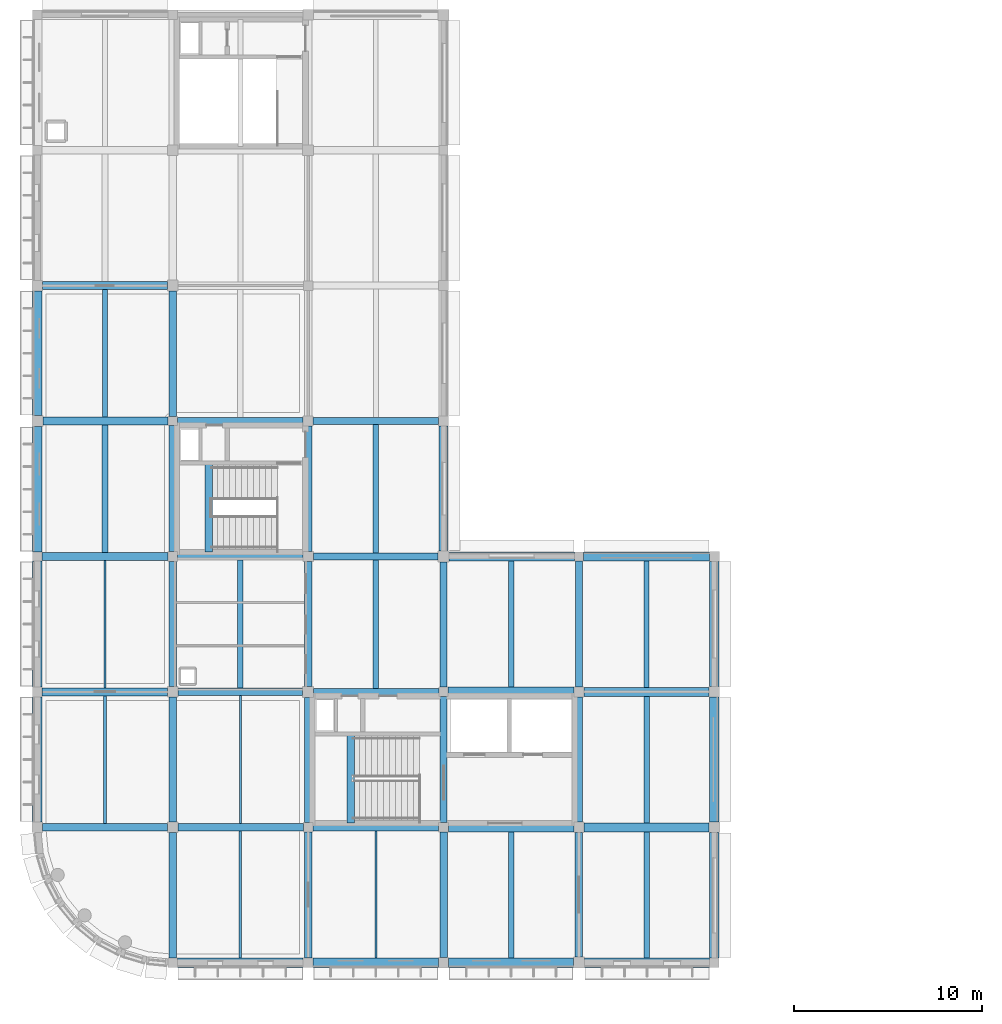
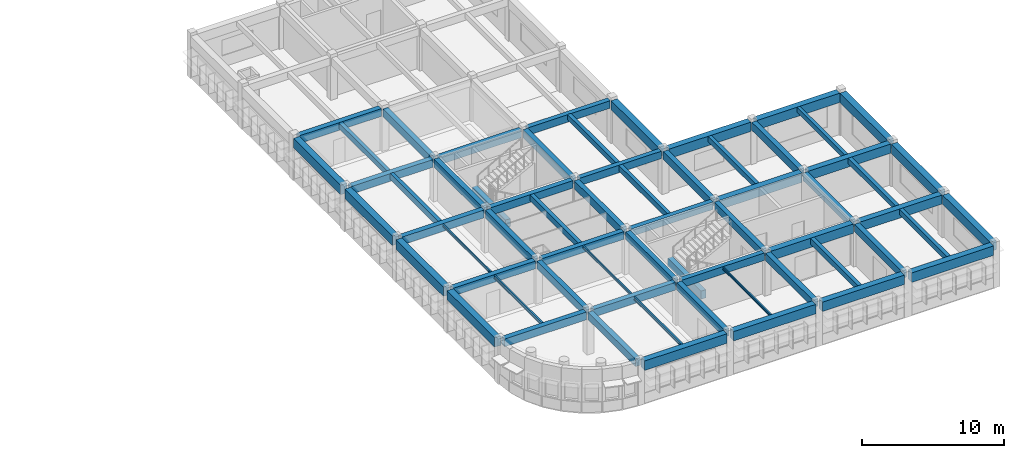
# One storey, part 7 of 19: 63 beams.
"""IFC4 building model written with IfcOpenShell, lengths in metres."""

from ifc_helpers import new_model, si_unit, direction, frame, origin, origin_2d, place, context, subcontext, project, spatial, rectangle, i_section, extrude, material, material_profile, profile_set, type_object, element, save


model = new_model("IFC4")

# Units and contexts
model_context = context("Model", 3, precision=1e-05, world=origin(), true_north=direction((0.0, 1.0)))
body_context = subcontext(model_context, "Body", "Model", "MODEL_VIEW")
ifc_project = project(units=[si_unit("LENGTHUNIT", "METRE"), si_unit("AREAUNIT", "SQUARE_METRE"), si_unit("VOLUMEUNIT", "CUBIC_METRE"), si_unit("PLANEANGLEUNIT", "RADIAN"), si_unit("MASSUNIT", "GRAM", prefix="KILO")], contexts=[model_context])

# Site, building, storey
site_placement = place(None, origin())
site = spatial("IfcSite", under=ifc_project, at=site_placement, CompositionType="ELEMENT")
building_placement = place(site_placement, origin())
building = spatial("IfcBuilding", under=site, at=building_placement, Name="Thalmaran Polytechnic", CompositionType="ELEMENT")
storey_placement = place(building_placement, frame((0.0, 0.0, 26.699951171875)))
storey = spatial("IfcBuildingStorey", under=building, at=storey_placement, Name="L06", CompositionType="ELEMENT", Elevation=26.699951171875)

# Beams
ifc_material_1 = material(Name="Concrete C40/50", Category="concrete")
ifc_material_profile_1 = material_profile(ifc_material_1, rectangle(XDim=0.5, YDim=0.800048828125, at=origin_2d()), Name="RC 500x800")
ifc_profile_set_1 = profile_set([ifc_material_profile_1], Name="Concrete C40/50")
beam_type_1 = type_object("IfcBeamType", Name="BM-RC02", PredefinedType="BEAM", material=ifc_profile_set_1)
beam_1_placement = place(storey_placement, frame((21.860107421875, 7.199951171875, 3.27001953125), z_axis=(1.0, 0.0, 0.0), x_axis=(0.0, 1.0, 0.0)))
element("IfcBeam", 1, at=beam_1_placement, inside=storey, type_object=beam_type_1, Name="Grid Beam B02 L06 X(3,1)", PredefinedType="BEAM", context=body_context, shape_type="SweptSolid", body=[
    extrude(rectangle(XDim=0.5, YDim=0.800048828125, at=origin_2d()), origin(), (0.0, 0.0, 1.0), 6.664794921875),
])
beam_2_placement = place(storey_placement, frame((21.85009765625, 14.39990234375, 3.27001953125), z_axis=(1.0, 0.0, 0.0), x_axis=(0.0, 1.0, 0.0)))
element("IfcBeam", 2, at=beam_2_placement, inside=storey, type_object=beam_type_1, Name="Grid Beam B02 L06 X(3,2)", PredefinedType="BEAM", context=body_context, shape_type="SweptSolid", body=[
    extrude(rectangle(XDim=0.5, YDim=0.800048828125, at=origin_2d()), origin(), (0.0, 0.0, 1.0), 6.68994140625),
])
ifc_material_profile_2 = material_profile(ifc_material_1, rectangle(XDim=0.39990234375, YDim=0.64990234375, at=origin_2d()), Name="RC 400x650")
ifc_profile_set_2 = profile_set([ifc_material_profile_2], Name="Concrete C40/50")
beam_type_2 = type_object("IfcBeamType", Name="BM-RC06", PredefinedType="BEAM", material=ifc_profile_set_2)
beam_3_placement = place(storey_placement, frame((7.489990234375, 7.199951171875, 3.344970703125), z_axis=(1.0, 0.0, 0.0), x_axis=(0.0, 1.0, 0.0)))
element("IfcBeam", 3, at=beam_3_placement, inside=storey, type_object=beam_type_2, Name="Grid Beam B06 L06 X(1,1)", PredefinedType="BEAM", context=body_context, shape_type="SweptSolid", body=[
    extrude(rectangle(XDim=0.39990234375, YDim=0.64990234375, at=origin_2d()), origin(), (0.0, 0.0, 1.0), 6.659912109375),
])
beam_4_placement = place(storey_placement, frame((7.47509765625, 14.39990234375, 3.344970703125), z_axis=(1.0, 0.0, 0.0), x_axis=(0.0, 1.0, 0.0)))
element("IfcBeam", 4, at=beam_4_placement, inside=storey, type_object=beam_type_2, Name="Grid Beam B06 L06 X(1,2)", PredefinedType="BEAM", context=body_context, shape_type="SweptSolid", body=[
    extrude(rectangle(XDim=0.39990234375, YDim=0.64990234375, at=origin_2d()), origin(), (0.0, 0.0, 1.0), 6.635009765625),
])
beam_5_placement = place(storey_placement, frame((7.4599609375, 21.60009765625, 3.344970703125), z_axis=(1.0, 0.0, 0.0), x_axis=(0.0, 1.0, 0.0)))
element("IfcBeam", 5, at=beam_5_placement, inside=storey, type_object=beam_type_2, Name="Grid Beam B06 L06 X(1,3)", PredefinedType="BEAM", context=body_context, shape_type="SweptSolid", body=[
    extrude(rectangle(XDim=0.39990234375, YDim=0.64990234375, at=origin_2d()), origin(), (0.0, 0.0, 1.0), 6.6650390625),
])
beam_6_placement = place(storey_placement, frame((7.449951171875, 28.800048828125, 3.31005859375), z_axis=(1.0, 0.0, 0.0), x_axis=(0.0, 1.0, 0.0)))
element("IfcBeam", 6, at=beam_6_placement, inside=storey, type_object=beam_type_2, Name="Grid Beam B06 L06 X(1,4)", PredefinedType="BEAM", context=body_context, shape_type="SweptSolid", body=[
    extrude(rectangle(XDim=0.39990234375, YDim=0.64990234375, at=origin_2d()), origin(), (0.0, 0.0, 1.0), 6.68994140625),
])
ifc_material_profile_3 = material_profile(ifc_material_1, rectangle(XDim=0.39990234375, YDim=0.6298828125, at=origin_2d()), Name="RC 400x630")
ifc_profile_set_3 = profile_set([ifc_material_profile_3], Name="Concrete C40/50")
beam_type_3 = type_object("IfcBeamType", Name="BM-RC07", PredefinedType="BEAM", material=ifc_profile_set_3)
beam_7_placement = place(storey_placement, frame((7.199951171875, 0.25, 3.35498046875), z_axis=(0.0, 1.0, 0.0), x_axis=(-1.0, 0.0, 0.0)))
element("IfcBeam", 7, at=beam_7_placement, inside=storey, type_object=beam_type_3, Name="Grid Beam B07 L06 Y(1,0)", PredefinedType="BEAM", context=body_context, shape_type="SweptSolid", body=[
    extrude(rectangle(XDim=0.39990234375, YDim=0.6298828125, at=origin_2d()), origin(), (0.0, 0.0, 1.0), 6.659912109375),
])
beam_8_placement = place(storey_placement, frame((14.39990234375, 0.260009765625, 3.35498046875), z_axis=(0.0, 1.0, 0.0), x_axis=(-1.0, 0.0, 0.0)))
element("IfcBeam", 8, at=beam_8_placement, inside=storey, type_object=beam_type_3, Name="Grid Beam B07 L06 Y(2,0)", PredefinedType="BEAM", context=body_context, shape_type="SweptSolid", body=[
    extrude(rectangle(XDim=0.39990234375, YDim=0.6298828125, at=origin_2d()), origin(), (0.0, 0.0, 1.0), 6.68994140625),
])
beam_9_placement = place(storey_placement, frame((21.60009765625, 0.27490234375, 3.35498046875), z_axis=(0.0, 1.0, 0.0), x_axis=(-1.0, 0.0, 0.0)))
element("IfcBeam", 9, at=beam_9_placement, inside=storey, type_object=beam_type_3, Name="Grid Beam B07 L06 Y(3,0)", PredefinedType="BEAM", context=body_context, shape_type="SweptSolid", body=[
    extrude(rectangle(XDim=0.39990234375, YDim=0.6298828125, at=origin_2d()), origin(), (0.0, 0.0, 1.0), 6.6650390625),
])
beam_10_placement = place(storey_placement, frame((28.800048828125, 0.2900390625, 3.320068359375), z_axis=(0.0, 1.0, 0.0), x_axis=(-1.0, 0.0, 0.0)))
element("IfcBeam", 10, at=beam_10_placement, inside=storey, type_object=beam_type_3, Name="Grid Beam B07 L06 Y(4,0)", PredefinedType="BEAM", context=body_context, shape_type="SweptSolid", body=[
    extrude(rectangle(XDim=0.39990234375, YDim=0.6298828125, at=origin_2d()), origin(), (0.0, 0.0, 1.0), 6.635009765625),
])
ifc_material_profile_4 = material_profile(ifc_material_1, rectangle(XDim=0.389892578125, YDim=0.68505859375, at=origin_2d()), Name="RC 390x685")
ifc_profile_set_4 = profile_set([ifc_material_profile_4], Name="Concrete C40/50")
beam_type_4 = type_object("IfcBeamType", Name="BM-RC08", PredefinedType="BEAM", material=ifc_profile_set_4)
beam_11_placement = place(storey_placement, frame((7.199951171875, 14.675048828125, 3.32763671875), z_axis=(0.0, 1.0, 0.0), x_axis=(-1.0, 0.0, 0.0)))
element("IfcBeam", 11, at=beam_11_placement, inside=storey, type_object=beam_type_4, Name="Grid Beam B08 L06 Y(1,2)", PredefinedType="BEAM", context=body_context, shape_type="SweptSolid", body=[
    extrude(rectangle(XDim=0.389892578125, YDim=0.68505859375, at=origin_2d()), origin(), (0.0, 0.0, 1.0), 6.6650390625),
])
beam_12_placement = place(storey_placement, frame((14.39990234375, 14.68994140625, 3.32763671875), z_axis=(0.0, 1.0, 0.0), x_axis=(-1.0, 0.0, 0.0)))
element("IfcBeam", 12, at=beam_12_placement, inside=storey, type_object=beam_type_4, Name="Grid Beam B08 L06 Y(2,2)", PredefinedType="BEAM", context=body_context, shape_type="SweptSolid", body=[
    extrude(rectangle(XDim=0.389892578125, YDim=0.68505859375, at=origin_2d()), origin(), (0.0, 0.0, 1.0), 6.635009765625),
])
beam_13_placement = place(storey_placement, frame((21.60009765625, 14.64990234375, 3.32763671875), z_axis=(0.0, 1.0, 0.0), x_axis=(-1.0, 0.0, 0.0)))
element("IfcBeam", 13, at=beam_13_placement, inside=storey, type_object=beam_type_4, Name="Grid Beam B08 L06 Y(3,2)", PredefinedType="BEAM", context=body_context, shape_type="SweptSolid", body=[
    extrude(rectangle(XDim=0.389892578125, YDim=0.68505859375, at=origin_2d()), origin(), (0.0, 0.0, 1.0), 6.66015625),
])
beam_14_placement = place(storey_placement, frame((28.800048828125, 14.659912109375, 3.29248046875), z_axis=(0.0, 1.0, 0.0), x_axis=(-1.0, 0.0, 0.0)))
element("IfcBeam", 14, at=beam_14_placement, inside=storey, type_object=beam_type_4, Name="Grid Beam B08 L06 Y(4,2)", PredefinedType="BEAM", context=body_context, shape_type="SweptSolid", body=[
    extrude(rectangle(XDim=0.389892578125, YDim=0.68505859375, at=origin_2d()), origin(), (0.0, 0.0, 1.0), 6.690185546875),
])
ifc_material_profile_5 = material_profile(ifc_material_1, rectangle(XDim=0.389892578125, YDim=0.68994140625, at=origin_2d()), Name="RC 390x690")
ifc_profile_set_5 = profile_set([ifc_material_profile_5], Name="Concrete C40/50")
beam_type_5 = type_object("IfcBeamType", Name="BM-RC09", PredefinedType="BEAM", material=ifc_profile_set_5)
beam_15_placement = place(storey_placement, frame((7.199951171875, 29.050048828125, 3.2900390625), z_axis=(0.0, 1.0, 0.0), x_axis=(-1.0, 0.0, 0.0)))
element("IfcBeam", 15, at=beam_15_placement, inside=storey, type_object=beam_type_5, Name="Grid Beam B09 L06 Y(1,4)", PredefinedType="BEAM", context=body_context, shape_type="SweptSolid", body=[
    extrude(rectangle(XDim=0.389892578125, YDim=0.68994140625, at=origin_2d()), origin(), (0.0, 0.0, 1.0), 6.659912109375),
])
ifc_material_profile_6 = material_profile(ifc_material_1, rectangle(XDim=0.389892578125, YDim=0.695068359375, at=origin_2d()), Name="RC 390x695")
ifc_profile_set_6 = profile_set([ifc_material_profile_6], Name="Concrete C40/50")
beam_type_6 = type_object("IfcBeamType", Name="BM-RC10", PredefinedType="BEAM", material=ifc_profile_set_6)
for number, where, z_axis, x_axis, name in (
    (16, (16.659912109375, 7.43994140625, 1.489990234375), (0.0, 1.0, 0.0), (-1.0, 0.0, 0.0), "ST1 L06 Half-Landing Trimmer Beam"),
    (17, (9.1201171875, 21.840087890625, 1.489990234375), (0.0, 1.0, 0.0), (-1.0, 0.0, 0.0), "ST3 L06 Half-Landing Trimmer Beam"),
):
    element("IfcBeam", number, at=place(storey_placement, frame(where, z_axis=z_axis, x_axis=x_axis)), inside=storey, type_object=beam_type_6, Name=name, PredefinedType="BEAM", context=body_context, shape_type="SweptSolid", body=[
        extrude(rectangle(XDim=0.389892578125, YDim=0.695068359375, at=origin_2d()), origin(), (0.0, 0.0, 1.0), 4.699951171875),
    ])
ifc_material_profile_7 = material_profile(ifc_material_1, rectangle(XDim=0.300048828125, YDim=0.5, at=origin_2d()), Name="RC 300x500")
ifc_profile_set_7 = profile_set([ifc_material_profile_7], Name="Concrete C40/50")
beam_type_7 = type_object("IfcBeamType", Name="BM-RC11", PredefinedType="JOIST", material=ifc_profile_set_7)
beam_16_placement = place(storey_placement, frame((3.60009765625, 21.81005859375, 3.420166015625), z_axis=(0.0, 1.0, 0.0), x_axis=(-1.0, 0.0, 0.0)))
element("IfcBeam", 18, at=beam_16_placement, inside=storey, type_object=beam_type_7, Name="Secondary Floor Rib RB01 L06 (0,3)", PredefinedType="JOIST", context=body_context, shape_type="SweptSolid", body=[
    extrude(rectangle(XDim=0.300048828125, YDim=0.5, at=origin_2d()), origin(), (0.0, 0.0, 1.0), 6.780029296875),
])
beam_17_placement = place(storey_placement, frame((10.800048828125, 14.60009765625, 3.420166015625), z_axis=(0.0, 1.0, 0.0), x_axis=(-1.0, 0.0, 0.0)))
element("IfcBeam", 19, at=beam_17_placement, inside=storey, type_object=beam_type_7, Name="Secondary Floor Rib RB01 L06 (1,2)", PredefinedType="JOIST", context=body_context, shape_type="SweptSolid", body=[
    extrude(rectangle(XDim=0.300048828125, YDim=0.5, at=origin_2d()), origin(), (0.0, 0.0, 1.0), 6.7998046875),
])
beam_18_placement = place(storey_placement, frame((25.199951171875, 0.25, 3.420166015625), z_axis=(0.0, 1.0, 0.0), x_axis=(-1.0, 0.0, 0.0)))
element("IfcBeam", 20, at=beam_18_placement, inside=storey, type_object=beam_type_7, Name="Secondary Floor Rib RB01 L06 (3,0)", PredefinedType="JOIST", context=body_context, shape_type="SweptSolid", body=[
    extrude(rectangle(XDim=0.300048828125, YDim=0.5, at=origin_2d()), origin(), (0.0, 0.0, 1.0), 6.699951171875),
])
ifc_material_profile_8 = material_profile(ifc_material_1, rectangle(XDim=0.300048828125, YDim=0.449951171875, at=origin_2d()), Name="RC 300x450")
ifc_profile_set_8 = profile_set([ifc_material_profile_8], Name="Concrete C40/50")
beam_type_8 = type_object("IfcBeamType", Name="BM-RC12", PredefinedType="JOIST", material=ifc_profile_set_8)
beam_19_placement = place(storey_placement, frame((18.0, 21.7900390625, 3.445068359375), z_axis=(0.0, 1.0, 0.0), x_axis=(-1.0, 0.0, 0.0)))
element("IfcBeam", 21, at=beam_19_placement, inside=storey, type_object=beam_type_8, Name="Secondary Floor Rib RB02 L06 (2,3)", PredefinedType="JOIST", context=body_context, shape_type="SweptSolid", body=[
    extrude(rectangle(XDim=0.300048828125, YDim=0.449951171875, at=origin_2d()), origin(), (0.0, 0.0, 1.0), 6.820068359375),
])
beam_20_placement = place(storey_placement, frame((25.199951171875, 14.64990234375, 3.445068359375), z_axis=(0.0, 1.0, 0.0), x_axis=(-1.0, 0.0, 0.0)))
element("IfcBeam", 22, at=beam_20_placement, inside=storey, type_object=beam_type_8, Name="Secondary Floor Rib RB02 L06 (3,2)", PredefinedType="JOIST", context=body_context, shape_type="SweptSolid", body=[
    extrude(rectangle(XDim=0.300048828125, YDim=0.449951171875, at=origin_2d()), origin(), (0.0, 0.0, 1.0), 6.7001953125),
])
beam_21_placement = place(storey_placement, frame((32.39990234375, 7.43994140625, 3.41015625), z_axis=(0.0, 1.0, 0.0), x_axis=(-1.0, 0.0, 0.0)))
element("IfcBeam", 23, at=beam_21_placement, inside=storey, type_object=beam_type_8, Name="Secondary Floor Rib RB02 L06 (4,1)", PredefinedType="JOIST", context=body_context, shape_type="SweptSolid", body=[
    extrude(rectangle(XDim=0.300048828125, YDim=0.449951171875, at=origin_2d()), origin(), (0.0, 0.0, 1.0), 6.719970703125),
])
ifc_material_2 = material(Name="Steel S355", Category="steel")
ifc_material_profile_9 = material_profile(ifc_material_2, i_section(OverallWidth=0.135009765625, OverallDepth=0.27001953125, WebThickness=0.006591796875, FlangeThickness=0.01025390625, at=origin_2d()), Name="IPE 270")
ifc_profile_set_9 = profile_set([ifc_material_profile_9], Name="Steel S355")
beam_type_9 = type_object("IfcBeamType", Name="BM-SJ03", PredefinedType="JOIST", material=ifc_profile_set_9)
beam_22_placement = place(storey_placement, frame((3.60009765625, 7.409912109375, 3.53515625), z_axis=(0.0, 1.0, 0.0), x_axis=(-1.0, 0.0, 0.0)))
element("IfcBeam", 24, at=beam_22_placement, inside=storey, type_object=beam_type_9, Name="Secondary Floor Rib SJ03 L06 (0,1)", PredefinedType="JOIST", context=body_context, shape_type="SweptSolid", body=[
    extrude(i_section(OverallWidth=0.135009765625, OverallDepth=0.27001953125, WebThickness=0.006591796875, FlangeThickness=0.01025390625, at=origin_2d()), origin(), (0.0, 0.0, 1.0), 6.780029296875),
])
beam_23_placement = place(storey_placement, frame((10.800048828125, 0.25, 3.53515625), z_axis=(0.0, 1.0, 0.0), x_axis=(-1.0, 0.0, 0.0)))
element("IfcBeam", 25, at=beam_23_placement, inside=storey, type_object=beam_type_9, Name="Secondary Floor Rib SJ03 L06 (1,0)", PredefinedType="JOIST", context=body_context, shape_type="SweptSolid", body=[
    extrude(i_section(OverallWidth=0.135009765625, OverallDepth=0.27001953125, WebThickness=0.006591796875, FlangeThickness=0.01025390625, at=origin_2d()), origin(), (0.0, 0.0, 1.0), 6.75),
])
ifc_material_profile_10 = material_profile(ifc_material_2, i_section(OverallWidth=0.110107421875, OverallDepth=0.219970703125, WebThickness=0.005859375, FlangeThickness=0.00927734375, at=origin_2d()), Name="IPE 220")
ifc_profile_set_10 = profile_set([ifc_material_profile_10], Name="Steel S355")
beam_type_10 = type_object("IfcBeamType", Name="BM-SJ04", PredefinedType="JOIST", material=ifc_profile_set_10)
beam_24_placement = place(storey_placement, frame((3.60009765625, 14.610107421875, 3.56005859375), z_axis=(0.0, 1.0, 0.0), x_axis=(-1.0, 0.0, 0.0)))
element("IfcBeam", 26, at=beam_24_placement, inside=storey, type_object=beam_type_10, Name="Secondary Floor Rib SJ04 L06 (0,2)", PredefinedType="JOIST", context=body_context, shape_type="SweptSolid", body=[
    extrude(i_section(OverallWidth=0.110107421875, OverallDepth=0.219970703125, WebThickness=0.005859375, FlangeThickness=0.00927734375, at=origin_2d()), origin(), (0.0, 0.0, 1.0), 6.77978515625),
])
beam_25_placement = place(storey_placement, frame((10.800048828125, 7.39990234375, 3.56005859375), z_axis=(0.0, 1.0, 0.0), x_axis=(-1.0, 0.0, 0.0)))
element("IfcBeam", 27, at=beam_25_placement, inside=storey, type_object=beam_type_10, Name="Secondary Floor Rib SJ04 L06 (1,1)", PredefinedType="JOIST", context=body_context, shape_type="SweptSolid", body=[
    extrude(i_section(OverallWidth=0.110107421875, OverallDepth=0.219970703125, WebThickness=0.005859375, FlangeThickness=0.00927734375, at=origin_2d()), origin(), (0.0, 0.0, 1.0), 6.800048828125),
])
beam_26_placement = place(storey_placement, frame((18.0, 0.25, 3.56005859375), z_axis=(0.0, 1.0, 0.0), x_axis=(-1.0, 0.0, 0.0)))
element("IfcBeam", 28, at=beam_26_placement, inside=storey, type_object=beam_type_10, Name="Secondary Floor Rib SJ04 L06 (2,0)", PredefinedType="JOIST", context=body_context, shape_type="SweptSolid", body=[
    extrude(i_section(OverallWidth=0.110107421875, OverallDepth=0.219970703125, WebThickness=0.005859375, FlangeThickness=0.00927734375, at=origin_2d()), origin(), (0.0, 0.0, 1.0), 6.760009765625),
])
ifc_material_profile_11 = material_profile(ifc_material_1, rectangle(XDim=0.5, YDim=0.804931640625, at=origin_2d()), Name="RC 500x805")
ifc_profile_set_11 = profile_set([ifc_material_profile_11], Name="Concrete C40/50")
beam_type_11 = type_object("IfcBeamType", Name="BM-SP03", PredefinedType="SPANDREL", material=ifc_profile_set_11)
beam_27_placement = place(storey_placement, frame((7.449951171875, 0.0, 3.267578125), z_axis=(1.0, 0.0, 0.0), x_axis=(0.0, 1.0, 0.0)))
element("IfcBeam", 29, at=beam_27_placement, inside=storey, type_object=beam_type_11, Name="Grid Beam SP03 L06 X(1,0)", PredefinedType="SPANDREL", context=body_context, shape_type="SweptSolid", body=[
    extrude(rectangle(XDim=0.5, YDim=0.804931640625, at=origin_2d()), origin(), (0.0, 0.0, 1.0), 6.68994140625),
])
beam_28_placement = place(storey_placement, frame((14.659912109375, 0.0, 3.267578125), z_axis=(1.0, 0.0, 0.0), x_axis=(0.0, 1.0, 0.0)))
element("IfcBeam", 30, at=beam_28_placement, inside=storey, type_object=beam_type_11, Name="Grid Beam SP03 L06 X(2,0)", PredefinedType="SPANDREL", context=body_context, shape_type="SweptSolid", body=[
    extrude(rectangle(XDim=0.5, YDim=0.804931640625, at=origin_2d()), origin(), (0.0, 0.0, 1.0), 6.6650390625),
])
beam_29_placement = place(storey_placement, frame((21.875, 0.0, 3.267578125), z_axis=(1.0, 0.0, 0.0), x_axis=(0.0, 1.0, 0.0)))
element("IfcBeam", 31, at=beam_29_placement, inside=storey, type_object=beam_type_11, Name="Grid Beam SP03 L06 X(3,0)", PredefinedType="SPANDREL", context=body_context, shape_type="SweptSolid", body=[
    extrude(rectangle(XDim=0.5, YDim=0.804931640625, at=origin_2d()), origin(), (0.0, 0.0, 1.0), 6.635009765625),
])
beam_30_placement = place(storey_placement, frame((21.889892578125, 21.60009765625, 3.267578125), z_axis=(1.0, 0.0, 0.0), x_axis=(0.0, 1.0, 0.0)))
element("IfcBeam", 32, at=beam_30_placement, inside=storey, type_object=beam_type_11, Name="Grid Beam SP03 L06 X(3,3)", PredefinedType="SPANDREL", context=body_context, shape_type="SweptSolid", body=[
    extrude(rectangle(XDim=0.5, YDim=0.804931640625, at=origin_2d()), origin(), (0.0, 0.0, 1.0), 6.66015625),
])
beam_31_placement = place(storey_placement, frame((29.090087890625, 0.0, 3.232666015625), z_axis=(1.0, 0.0, 0.0), x_axis=(0.0, 1.0, 0.0)))
element("IfcBeam", 33, at=beam_31_placement, inside=storey, type_object=beam_type_11, Name="Grid Beam SP03 L06 X(4,0)", PredefinedType="SPANDREL", context=body_context, shape_type="SweptSolid", body=[
    extrude(rectangle(XDim=0.5, YDim=0.804931640625, at=origin_2d()), origin(), (0.0, 0.0, 1.0), 6.659912109375),
])
beam_32_placement = place(storey_placement, frame((29.050048828125, 21.60009765625, 3.232666015625), z_axis=(1.0, 0.0, 0.0), x_axis=(0.0, 1.0, 0.0)))
element("IfcBeam", 34, at=beam_32_placement, inside=storey, type_object=beam_type_11, Name="Grid Beam SP03 L06 X(4,3)", PredefinedType="SPANDREL", context=body_context, shape_type="SweptSolid", body=[
    extrude(rectangle(XDim=0.5, YDim=0.804931640625, at=origin_2d()), origin(), (0.0, 0.0, 1.0), 6.68994140625),
])
beam_33_placement = place(storey_placement, frame((0.0, 7.47509765625, 3.267578125), z_axis=(0.0, 1.0, 0.0), x_axis=(-1.0, 0.0, 0.0)))
element("IfcBeam", 35, at=beam_33_placement, inside=storey, type_object=beam_type_11, Name="Grid Beam SP03 L06 Y(0,1)", PredefinedType="SPANDREL", context=body_context, shape_type="SweptSolid", body=[
    extrude(rectangle(XDim=0.5, YDim=0.804931640625, at=origin_2d()), origin(), (0.0, 0.0, 1.0), 6.664794921875),
])
beam_34_placement = place(storey_placement, frame((0.0, 14.659912109375, 3.267578125), z_axis=(0.0, 1.0, 0.0), x_axis=(-1.0, 0.0, 0.0)))
element("IfcBeam", 36, at=beam_34_placement, inside=storey, type_object=beam_type_11, Name="Grid Beam SP03 L06 Y(0,2)", PredefinedType="SPANDREL", context=body_context, shape_type="SweptSolid", body=[
    extrude(rectangle(XDim=0.5, YDim=0.804931640625, at=origin_2d()), origin(), (0.0, 0.0, 1.0), 6.690185546875),
])
beam_35_placement = place(storey_placement, frame((0.0, 21.85009765625, 3.267578125), z_axis=(0.0, 1.0, 0.0), x_axis=(-1.0, 0.0, 0.0)))
element("IfcBeam", 37, at=beam_35_placement, inside=storey, type_object=beam_type_11, Name="Grid Beam SP03 L06 Y(0,3)", PredefinedType="SPANDREL", context=body_context, shape_type="SweptSolid", body=[
    extrude(rectangle(XDim=0.5, YDim=0.804931640625, at=origin_2d()), origin(), (0.0, 0.0, 1.0), 6.659912109375),
])
for number, where, z_axis, x_axis, name in (
    (38, (0.0, 29.090087890625, 3.232666015625), (0.0, 1.0, 0.0), (-1.0, 0.0, 0.0), "Grid Beam SP03 L06 Y(0,4)"),
    (39, (21.60009765625, 21.889892578125, 3.267578125), (0.0, 1.0, 0.0), (-1.0, 0.0, 0.0), "Grid Beam SP03 L06 Y(3,3)"),
):
    element("IfcBeam", number, at=place(storey_placement, frame(where, z_axis=z_axis, x_axis=x_axis)), inside=storey, type_object=beam_type_11, Name=name, PredefinedType="SPANDREL", context=body_context, shape_type="SweptSolid", body=[
        extrude(rectangle(XDim=0.5, YDim=0.804931640625, at=origin_2d()), origin(), (0.0, 0.0, 1.0), 6.635009765625),
    ])
beam_36_placement = place(storey_placement, frame((36.0, 0.25, 3.232666015625), z_axis=(0.0, 1.0, 0.0), x_axis=(-1.0, 0.0, 0.0)))
element("IfcBeam", 40, at=beam_36_placement, inside=storey, type_object=beam_type_11, Name="Grid Beam SP03 L06 Y(5,0)", PredefinedType="SPANDREL", context=body_context, shape_type="SweptSolid", body=[
    extrude(rectangle(XDim=0.5, YDim=0.804931640625, at=origin_2d()), origin(), (0.0, 0.0, 1.0), 6.659912109375),
])
beam_37_placement = place(storey_placement, frame((36.0, 7.489990234375, 3.232666015625), z_axis=(0.0, 1.0, 0.0), x_axis=(-1.0, 0.0, 0.0)))
element("IfcBeam", 41, at=beam_37_placement, inside=storey, type_object=beam_type_11, Name="Grid Beam SP03 L06 Y(5,1)", PredefinedType="SPANDREL", context=body_context, shape_type="SweptSolid", body=[
    extrude(rectangle(XDim=0.5, YDim=0.804931640625, at=origin_2d()), origin(), (0.0, 0.0, 1.0), 6.635009765625),
])
beam_38_placement = place(storey_placement, frame((36.0, 14.675048828125, 3.232666015625), z_axis=(0.0, 1.0, 0.0), x_axis=(-1.0, 0.0, 0.0)))
element("IfcBeam", 42, at=beam_38_placement, inside=storey, type_object=beam_type_11, Name="Grid Beam SP03 L06 Y(5,2)", PredefinedType="SPANDREL", context=body_context, shape_type="SweptSolid", body=[
    extrude(rectangle(XDim=0.5, YDim=0.804931640625, at=origin_2d()), origin(), (0.0, 0.0, 1.0), 6.6650390625),
])
ifc_material_profile_12 = material_profile(ifc_material_1, rectangle(XDim=0.47998046875, YDim=0.780029296875, at=origin_2d()), Name="RC 480x780")
ifc_profile_set_12 = profile_set([ifc_material_profile_12], Name="Concrete C40/50")
beam_type_12 = type_object("IfcBeamType", Name="BM-ZB01", PredefinedType="BEAM", material=ifc_profile_set_12)
beam_39_placement = place(storey_placement, frame((29.074951171875, 7.199951171875, 3.2451171875), z_axis=(1.0, 0.0, 0.0), x_axis=(0.0, 1.0, 0.0)))
element("IfcBeam", 43, at=beam_39_placement, inside=storey, type_object=beam_type_12, Name="Grid Beam ZB01 L06 X(4,1)", PredefinedType="BEAM", context=body_context, shape_type="SweptSolid", body=[
    extrude(rectangle(XDim=0.47998046875, YDim=0.780029296875, at=origin_2d()), origin(), (0.0, 0.0, 1.0), 6.635009765625),
])
beam_40_placement = place(storey_placement, frame((29.06005859375, 14.39990234375, 3.2451171875), z_axis=(1.0, 0.0, 0.0), x_axis=(0.0, 1.0, 0.0)))
element("IfcBeam", 44, at=beam_40_placement, inside=storey, type_object=beam_type_12, Name="Grid Beam ZB01 L06 X(4,2)", PredefinedType="BEAM", context=body_context, shape_type="SweptSolid", body=[
    extrude(rectangle(XDim=0.47998046875, YDim=0.780029296875, at=origin_2d()), origin(), (0.0, 0.0, 1.0), 6.6650390625),
])
ifc_material_profile_13 = material_profile(ifc_material_1, rectangle(XDim=0.419921875, YDim=0.659912109375, at=origin_2d()), Name="RC 420x660")
ifc_profile_set_13 = profile_set([ifc_material_profile_13], Name="Concrete C40/50")
beam_type_13 = type_object("IfcBeamType", Name="BM-ZB04", PredefinedType="BEAM", material=ifc_profile_set_13)
beam_41_placement = place(storey_placement, frame((0.27490234375, 7.199951171875, 3.340087890625), z_axis=(1.0, 0.0, 0.0), x_axis=(0.0, 1.0, 0.0)))
element("IfcBeam", 45, at=beam_41_placement, inside=storey, type_object=beam_type_13, Name="Grid Beam ZB04 L06 X(0,1)", PredefinedType="BEAM", context=body_context, shape_type="SweptSolid", body=[
    extrude(rectangle(XDim=0.419921875, YDim=0.659912109375, at=origin_2d()), origin(), (0.0, 0.0, 1.0), 6.635009765625),
])
beam_42_placement = place(storey_placement, frame((0.260009765625, 14.39990234375, 3.340087890625), z_axis=(1.0, 0.0, 0.0), x_axis=(0.0, 1.0, 0.0)))
element("IfcBeam", 46, at=beam_42_placement, inside=storey, type_object=beam_type_13, Name="Grid Beam ZB04 L06 X(0,2)", PredefinedType="BEAM", context=body_context, shape_type="SweptSolid", body=[
    extrude(rectangle(XDim=0.419921875, YDim=0.659912109375, at=origin_2d()), origin(), (0.0, 0.0, 1.0), 6.6650390625),
])
beam_43_placement = place(storey_placement, frame((0.25, 21.60009765625, 3.340087890625), z_axis=(1.0, 0.0, 0.0), x_axis=(0.0, 1.0, 0.0)))
element("IfcBeam", 47, at=beam_43_placement, inside=storey, type_object=beam_type_13, Name="Grid Beam ZB04 L06 X(0,3)", PredefinedType="BEAM", context=body_context, shape_type="SweptSolid", body=[
    extrude(rectangle(XDim=0.419921875, YDim=0.659912109375, at=origin_2d()), origin(), (0.0, 0.0, 1.0), 6.68994140625),
])
beam_44_placement = place(storey_placement, frame((0.2900390625, 28.800048828125, 3.304931640625), z_axis=(1.0, 0.0, 0.0), x_axis=(0.0, 1.0, 0.0)))
element("IfcBeam", 48, at=beam_44_placement, inside=storey, type_object=beam_type_13, Name="Grid Beam ZB04 L06 X(0,4)", PredefinedType="BEAM", context=body_context, shape_type="SweptSolid", body=[
    extrude(rectangle(XDim=0.419921875, YDim=0.659912109375, at=origin_2d()), origin(), (0.0, 0.0, 1.0), 6.659912109375),
])
beam_45_placement = place(storey_placement, frame((0.27490234375, 36.0, 3.304931640625), z_axis=(1.0, 0.0, 0.0), x_axis=(0.0, 1.0, 0.0)))
element("IfcBeam", 49, at=beam_45_placement, inside=storey, type_object=beam_type_13, Name="Grid Beam ZB04 L06 X(0,5)", PredefinedType="BEAM", context=body_context, shape_type="SweptSolid", body=[
    extrude(rectangle(XDim=0.419921875, YDim=0.659912109375, at=origin_2d()), origin(), (0.0, 0.0, 1.0), 6.635009765625),
])
ifc_material_profile_14 = material_profile(ifc_material_1, rectangle(XDim=0.3798828125, YDim=0.639892578125, at=origin_2d()), Name="RC 380x640")
ifc_profile_set_14 = profile_set([ifc_material_profile_14], Name="Concrete C40/50")
beam_type_14 = type_object("IfcBeamType", Name="BM-ZB05", PredefinedType="BEAM", material=ifc_profile_set_14)
beam_46_placement = place(storey_placement, frame((14.64990234375, 7.199951171875, 3.35009765625), z_axis=(1.0, 0.0, 0.0), x_axis=(0.0, 1.0, 0.0)))
element("IfcBeam", 50, at=beam_46_placement, inside=storey, type_object=beam_type_14, Name="Grid Beam ZB05 L06 X(2,1)", PredefinedType="BEAM", context=body_context, shape_type="SweptSolid", body=[
    extrude(rectangle(XDim=0.3798828125, YDim=0.639892578125, at=origin_2d()), origin(), (0.0, 0.0, 1.0), 6.690185546875),
])
beam_47_placement = place(storey_placement, frame((14.68994140625, 14.39990234375, 3.35009765625), z_axis=(1.0, 0.0, 0.0), x_axis=(0.0, 1.0, 0.0)))
element("IfcBeam", 51, at=beam_47_placement, inside=storey, type_object=beam_type_14, Name="Grid Beam ZB05 L06 X(2,2)", PredefinedType="BEAM", context=body_context, shape_type="SweptSolid", body=[
    extrude(rectangle(XDim=0.3798828125, YDim=0.639892578125, at=origin_2d()), origin(), (0.0, 0.0, 1.0), 6.66015625),
])
beam_48_placement = place(storey_placement, frame((14.675048828125, 21.60009765625, 3.35009765625), z_axis=(1.0, 0.0, 0.0), x_axis=(0.0, 1.0, 0.0)))
element("IfcBeam", 52, at=beam_48_placement, inside=storey, type_object=beam_type_14, Name="Grid Beam ZB05 L06 X(2,3)", PredefinedType="BEAM", context=body_context, shape_type="SweptSolid", body=[
    extrude(rectangle(XDim=0.3798828125, YDim=0.639892578125, at=origin_2d()), origin(), (0.0, 0.0, 1.0), 6.635009765625),
])
beam_49_placement = place(storey_placement, frame((14.659912109375, 28.800048828125, 3.31494140625), z_axis=(1.0, 0.0, 0.0), x_axis=(0.0, 1.0, 0.0)))
element("IfcBeam", 53, at=beam_49_placement, inside=storey, type_object=beam_type_14, Name="Grid Beam ZB05 L06 X(2,4)", PredefinedType="BEAM", context=body_context, shape_type="SweptSolid", body=[
    extrude(rectangle(XDim=0.3798828125, YDim=0.639892578125, at=origin_2d()), origin(), (0.0, 0.0, 1.0), 6.6650390625),
])
ifc_material_profile_15 = material_profile(ifc_material_1, rectangle(XDim=0.3798828125, YDim=0.635009765625, at=origin_2d()), Name="RC 380x635")
ifc_profile_set_15 = profile_set([ifc_material_profile_15], Name="Concrete C40/50")
beam_type_15 = type_object("IfcBeamType", Name="BM-ZB06", PredefinedType="BEAM", material=ifc_profile_set_15)
beam_50_placement = place(storey_placement, frame((7.199951171875, 7.489990234375, 3.3525390625), z_axis=(0.0, 1.0, 0.0), x_axis=(-1.0, 0.0, 0.0)))
element("IfcBeam", 54, at=beam_50_placement, inside=storey, type_object=beam_type_15, Name="Grid Beam ZB06 L06 Y(1,1)", PredefinedType="BEAM", context=body_context, shape_type="SweptSolid", body=[
    extrude(rectangle(XDim=0.3798828125, YDim=0.635009765625, at=origin_2d()), origin(), (0.0, 0.0, 1.0), 6.635009765625),
])
beam_51_placement = place(storey_placement, frame((14.39990234375, 7.449951171875, 3.3525390625), z_axis=(0.0, 1.0, 0.0), x_axis=(-1.0, 0.0, 0.0)))
element("IfcBeam", 55, at=beam_51_placement, inside=storey, type_object=beam_type_15, Name="Grid Beam ZB06 L06 Y(2,1)", PredefinedType="BEAM", context=body_context, shape_type="SweptSolid", body=[
    extrude(rectangle(XDim=0.3798828125, YDim=0.635009765625, at=origin_2d()), origin(), (0.0, 0.0, 1.0), 6.66015625),
])
beam_52_placement = place(storey_placement, frame((21.60009765625, 7.4599609375, 3.3525390625), z_axis=(0.0, 1.0, 0.0), x_axis=(-1.0, 0.0, 0.0)))
element("IfcBeam", 56, at=beam_52_placement, inside=storey, type_object=beam_type_15, Name="Grid Beam ZB06 L06 Y(3,1)", PredefinedType="BEAM", context=body_context, shape_type="SweptSolid", body=[
    extrude(rectangle(XDim=0.3798828125, YDim=0.635009765625, at=origin_2d()), origin(), (0.0, 0.0, 1.0), 6.68994140625),
])
beam_53_placement = place(storey_placement, frame((28.800048828125, 7.47509765625, 3.317626953125), z_axis=(0.0, 1.0, 0.0), x_axis=(-1.0, 0.0, 0.0)))
element("IfcBeam", 57, at=beam_53_placement, inside=storey, type_object=beam_type_15, Name="Grid Beam ZB06 L06 Y(4,1)", PredefinedType="BEAM", context=body_context, shape_type="SweptSolid", body=[
    extrude(rectangle(XDim=0.3798828125, YDim=0.635009765625, at=origin_2d()), origin(), (0.0, 0.0, 1.0), 6.664794921875),
])
ifc_material_profile_16 = material_profile(ifc_material_1, rectangle(XDim=0.39990234375, YDim=0.68505859375, at=origin_2d()), Name="RC 400x685")
ifc_profile_set_16 = profile_set([ifc_material_profile_16], Name="Concrete C40/50")
beam_type_16 = type_object("IfcBeamType", Name="BM-ZB07", PredefinedType="BEAM", material=ifc_profile_set_16)
beam_54_placement = place(storey_placement, frame((7.199951171875, 21.860107421875, 3.32763671875), z_axis=(0.0, 1.0, 0.0), x_axis=(-1.0, 0.0, 0.0)))
element("IfcBeam", 58, at=beam_54_placement, inside=storey, type_object=beam_type_16, Name="Grid Beam ZB07 L06 Y(1,3)", PredefinedType="BEAM", context=body_context, shape_type="SweptSolid", body=[
    extrude(rectangle(XDim=0.39990234375, YDim=0.68505859375, at=origin_2d()), origin(), (0.0, 0.0, 1.0), 6.68994140625),
])
beam_55_placement = place(storey_placement, frame((14.39990234375, 21.875, 3.32763671875), z_axis=(0.0, 1.0, 0.0), x_axis=(-1.0, 0.0, 0.0)))
element("IfcBeam", 59, at=beam_55_placement, inside=storey, type_object=beam_type_16, Name="Grid Beam ZB07 L06 Y(2,3)", PredefinedType="BEAM", context=body_context, shape_type="SweptSolid", body=[
    extrude(rectangle(XDim=0.39990234375, YDim=0.68505859375, at=origin_2d()), origin(), (0.0, 0.0, 1.0), 6.6650390625),
])
ifc_material_profile_17 = material_profile(ifc_material_1, rectangle(XDim=0.280029296875, YDim=0.47998046875, at=origin_2d()), Name="RC 280x480")
ifc_profile_set_17 = profile_set([ifc_material_profile_17], Name="Concrete C40/50")
beam_type_17 = type_object("IfcBeamType", Name="BM-ZJ01", PredefinedType="JOIST", material=ifc_profile_set_17)
beam_56_placement = place(storey_placement, frame((3.60009765625, 29.010009765625, 3.39501953125), z_axis=(0.0, 1.0, 0.0), x_axis=(-1.0, 0.0, 0.0)))
element("IfcBeam", 60, at=beam_56_placement, inside=storey, type_object=beam_type_17, Name="Secondary Floor Rib ZJ01 L06 (0,4)", PredefinedType="JOIST", context=body_context, shape_type="SweptSolid", body=[
    extrude(rectangle(XDim=0.280029296875, YDim=0.47998046875, at=origin_2d()), origin(), (0.0, 0.0, 1.0), 6.780029296875),
])
beam_57_placement = place(storey_placement, frame((18.0, 14.590087890625, 3.429931640625), z_axis=(0.0, 1.0, 0.0), x_axis=(-1.0, 0.0, 0.0)))
element("IfcBeam", 61, at=beam_57_placement, inside=storey, type_object=beam_type_17, Name="Secondary Floor Rib ZJ01 L06 (2,2)", PredefinedType="JOIST", context=body_context, shape_type="SweptSolid", body=[
    extrude(rectangle(XDim=0.280029296875, YDim=0.47998046875, at=origin_2d()), origin(), (0.0, 0.0, 1.0), 6.81982421875),
])
beam_58_placement = place(storey_placement, frame((32.39990234375, 0.25, 3.39501953125), z_axis=(0.0, 1.0, 0.0), x_axis=(-1.0, 0.0, 0.0)))
element("IfcBeam", 62, at=beam_58_placement, inside=storey, type_object=beam_type_17, Name="Secondary Floor Rib ZJ01 L06 (4,0)", PredefinedType="JOIST", context=body_context, shape_type="SweptSolid", body=[
    extrude(rectangle(XDim=0.280029296875, YDim=0.47998046875, at=origin_2d()), origin(), (0.0, 0.0, 1.0), 6.7099609375),
])
ifc_material_profile_18 = material_profile(ifc_material_1, rectangle(XDim=0.260009765625, YDim=0.43994140625, at=origin_2d()), Name="RC 260x440")
ifc_profile_set_18 = profile_set([ifc_material_profile_18], Name="Concrete C40/50")
beam_type_18 = type_object("IfcBeamType", Name="BM-ZJ02", PredefinedType="JOIST", material=ifc_profile_set_18)
beam_59_placement = place(storey_placement, frame((32.39990234375, 14.639892578125, 3.4150390625), z_axis=(0.0, 1.0, 0.0), x_axis=(-1.0, 0.0, 0.0)))
element("IfcBeam", 63, at=beam_59_placement, inside=storey, type_object=beam_type_18, Name="Secondary Floor Rib ZJ02 L06 (4,2)", PredefinedType="JOIST", context=body_context, shape_type="SweptSolid", body=[
    extrude(rectangle(XDim=0.260009765625, YDim=0.43994140625, at=origin_2d()), origin(), (0.0, 0.0, 1.0), 6.710205078125),
])

save(model, "model.ifc")
